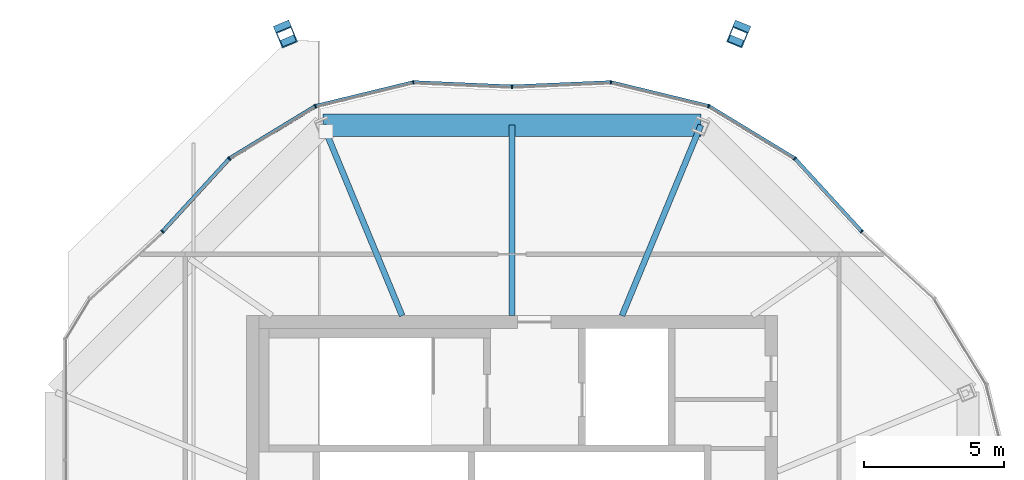
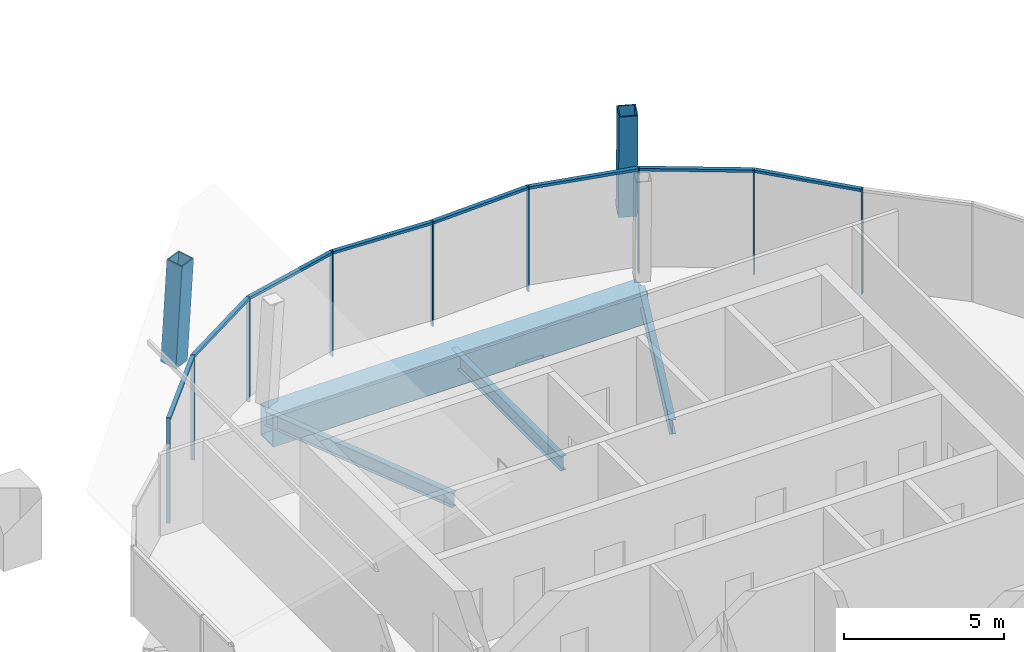
# One storey, part 9 of 23: 19 members, 4 beams, 3 elements without a shape of their own.
"""IFC4 building model written with IfcOpenShell, lengths in metres."""

from ifc_helpers import new_model, si_unit, direction, frame, origin, origin_2d, place, context, subcontext, project, spatial, rectangle, hollow_rectangle, i_section, extrude, material, material_profile, profile_set, type_object, element, aggregate, save


model = new_model("IFC4")

# Units and contexts
model_context = context("Model", 3, precision=1e-05, world=origin(), true_north=direction((0.0, 1.0)))
body_context = subcontext(model_context, "Body", "Model", "MODEL_VIEW")
ifc_project = project(units=[si_unit("LENGTHUNIT", "METRE"), si_unit("AREAUNIT", "SQUARE_METRE"), si_unit("VOLUMEUNIT", "CUBIC_METRE"), si_unit("PLANEANGLEUNIT", "RADIAN"), si_unit("MASSUNIT", "GRAM", prefix="KILO")], contexts=[model_context])

# Site, building, storey
site_placement = place(None, origin())
site = spatial("IfcSite", under=ifc_project, at=site_placement, CompositionType="ELEMENT")
building_placement = place(site_placement, origin())
building = spatial("IfcBuilding", under=site, at=building_placement, Name="Ogive Gate Towers", CompositionType="ELEMENT")
storey_placement = place(building_placement, frame((0.0, 0.0, 302.0)))
storey = spatial("IfcBuildingStorey", under=building, at=storey_placement, Name="L71", CompositionType="ELEMENT", Elevation=302.0)

# Curtain wall, member
ifc_material_1 = material(Name="Pale metal aluminium", Category="aluminium")
curtain_wall_type = type_object("IfcCurtainWallType", Name="Crown lean wall", PredefinedType="NOTDEFINED", material=ifc_material_1)
curtain_wall_1_placement = place(storey_placement, origin())
curtain_wall_1 = element("IfcCurtainWall", 1, at=curtain_wall_1_placement, inside=storey, type_object=curtain_wall_type, Name="CW5 T1 ECW01", PredefinedType="NOTDEFINED")
ifc_material_profile_1 = material_profile(ifc_material_1, rectangle(XDim=0.139892578125, YDim=0.050048828125, at=origin_2d()), Name="50 x 140 aluminium box")
ifc_profile_set_1 = profile_set([ifc_material_profile_1], Name="Pale metal aluminium")
member_type_1 = type_object("IfcMemberType", Name="Crown lean wall mullion 50 x 140", PredefinedType="MULLION", material=ifc_profile_set_1)
member_1_placement = place(storey_placement, frame((-23.488525390625, 12.51318359375, -0.300048828125), z_axis=(0.0, 0.0, 1.0), x_axis=(-0.675796067943, -0.737088647689, 0.0)))
member_1 = element("IfcMember", 2, at=member_1_placement, type_object=member_type_1, Name="CW5 mullion", PredefinedType="MULLION", context=body_context, shape_type="SweptSolid", body=[
    extrude(rectangle(XDim=0.139892578125, YDim=0.050048828125, at=origin_2d()), origin(), (0.0, 0.0, 1.0), 4.0),
])
aggregate(curtain_wall_1, [member_1])

# Curtain wall, members
curtain_wall_2_placement = place(storey_placement, origin())
curtain_wall_2 = element("IfcCurtainWall", 3, at=curtain_wall_2_placement, inside=storey, type_object=curtain_wall_type, Name="CW5 T1 ECW02", PredefinedType="NOTDEFINED")
member_2_placement = place(storey_placement, frame((-36.001220703125, 17.695068359375, -0.300048828125), z_axis=(0.0, 0.0, 1.0), x_axis=(0.043340398775, -0.999060363459, 0.0)))
member_2 = element("IfcMember", 4, at=member_2_placement, type_object=member_type_1, Name="CW5 mullion", PredefinedType="MULLION", context=body_context, shape_type="SweptSolid", body=[
    extrude(rectangle(XDim=0.139892578125, YDim=0.050048828125, at=origin_2d()), origin(), (0.0, 0.0, 1.0), 4.0),
])
member_3_placement = place(storey_placement, frame((-32.462890625, 17.848388671875, -0.300048828125), z_axis=(0.0, 0.0, 1.0), x_axis=(-0.097513419542, -0.995234210128, 0.0)))
member_3 = element("IfcMember", 5, at=member_3_placement, type_object=member_type_1, Name="CW5 mullion", PredefinedType="MULLION", context=body_context, shape_type="SweptSolid", body=[
    extrude(rectangle(XDim=0.139892578125, YDim=0.050048828125, at=origin_2d()), origin(), (0.0, 0.0, 1.0), 4.0),
])
member_4_placement = place(storey_placement, frame((-28.960205078125, 16.995849609375, -0.300048828125), z_axis=(0.0, 0.0, 1.0), x_axis=(-0.382683432365, -0.923879532511, 0.0)))
member_4 = element("IfcMember", 6, at=member_4_placement, type_object=member_type_1, Name="CW5 mullion", PredefinedType="MULLION", context=body_context, shape_type="SweptSolid", body=[
    extrude(rectangle(XDim=0.139892578125, YDim=0.050048828125, at=origin_2d()), origin(), (0.0, 0.0, 1.0), 4.0),
])
member_5_placement = place(storey_placement, frame((-25.880615234375, 15.12158203125, -0.300048828125), z_axis=(0.0, 0.0, 1.0), x_axis=(-0.634784458636, -0.772689259065, 0.0)))
member_5 = element("IfcMember", 7, at=member_5_placement, type_object=member_type_1, Name="CW5 mullion", PredefinedType="MULLION", context=body_context, shape_type="SweptSolid", body=[
    extrude(rectangle(XDim=0.139892578125, YDim=0.050048828125, at=origin_2d()), origin(), (0.0, 0.0, 1.0), 4.0),
])

curtain_wall_3_placement = place(storey_placement, origin())
curtain_wall_3 = element("IfcCurtainWall", 8, at=curtain_wall_3_placement, inside=storey, type_object=curtain_wall_type, Name="CW5 T1 ECW03", PredefinedType="NOTDEFINED")
member_6_placement = place(storey_placement, frame((-48.51318359375, 12.511474609375, -0.300048828125), z_axis=(0.0, 0.0, 1.0), x_axis=(0.737088647689, -0.675796067943, 0.0)))
member_6 = element("IfcMember", 9, at=member_6_placement, type_object=member_type_1, Name="CW5 mullion", PredefinedType="MULLION", context=body_context, shape_type="SweptSolid", body=[
    extrude(rectangle(XDim=0.139892578125, YDim=0.050048828125, at=origin_2d()), origin(), (0.0, 0.0, 1.0), 4.0),
])
member_7_placement = place(storey_placement, frame((-46.119384765625, 15.12158203125, -0.300048828125), z_axis=(0.0, 0.0, 1.0), x_axis=(0.634784458636, -0.772689259065, 0.0)))
member_7 = element("IfcMember", 10, at=member_7_placement, type_object=member_type_1, Name="CW5 mullion", PredefinedType="MULLION", context=body_context, shape_type="SweptSolid", body=[
    extrude(rectangle(XDim=0.139892578125, YDim=0.050048828125, at=origin_2d()), origin(), (0.0, 0.0, 1.0), 4.0),
])
member_8_placement = place(storey_placement, frame((-43.039794921875, 16.995849609375, -0.300048828125), z_axis=(0.0, 0.0, 1.0), x_axis=(0.382683432365, -0.923879532511, 0.0)))
member_8 = element("IfcMember", 11, at=member_8_placement, type_object=member_type_1, Name="CW5 mullion", PredefinedType="MULLION", context=body_context, shape_type="SweptSolid", body=[
    extrude(rectangle(XDim=0.139892578125, YDim=0.050048828125, at=origin_2d()), origin(), (0.0, 0.0, 1.0), 4.0),
])
member_9_placement = place(storey_placement, frame((-39.537109375, 17.848388671875, -0.300048828125), z_axis=(0.0, 0.0, 1.0), x_axis=(0.097513419542, -0.995234210128, 0.0)))
member_9 = element("IfcMember", 12, at=member_9_placement, type_object=member_type_1, Name="CW5 mullion", PredefinedType="MULLION", context=body_context, shape_type="SweptSolid", body=[
    extrude(rectangle(XDim=0.139892578125, YDim=0.050048828125, at=origin_2d()), origin(), (0.0, 0.0, 1.0), 4.0),
])

# Member
ifc_material_profile_2 = material_profile(ifc_material_1, rectangle(XDim=0.139892578125, YDim=0.10009765625, at=origin_2d()), Name="100 x 140 aluminium box")
ifc_profile_set_2 = profile_set([ifc_material_profile_2], Name="Pale metal aluminium")
member_type_2 = type_object("IfcMemberType", Name="Crown lean wall transom 100 x 140", PredefinedType="USERDEFINED", material=ifc_profile_set_2)
member_10_placement = place(storey_placement, frame((-35.976318359375, 17.6962890625, 3.64990234375), z_axis=(0.999060643989, 0.043333931654, 0.0), x_axis=(-0.043333931654, 0.999060643989, 0.0)))
member_10 = element("IfcMember", 13, at=member_10_placement, type_object=member_type_2, Name="CW5 transom", ObjectType="TRANSOM", PredefinedType="USERDEFINED", context=body_context, shape_type="SweptSolid", body=[
    extrude(rectangle(XDim=0.139892578125, YDim=0.10009765625, at=origin_2d()), origin(), (0.0, 0.0, 1.0), 3.4873046875),
])

member_11_placement = place(storey_placement, frame((-32.434326171875, 17.841552734375, 3.64990234375), z_axis=(0.971665893782, -0.236358606487, 0.0), x_axis=(0.236358606487, 0.971665893782, 0.0)))
member_11 = element("IfcMember", 14, at=member_11_placement, type_object=member_type_2, Name="CW5 transom", ObjectType="TRANSOM", PredefinedType="USERDEFINED", context=body_context, shape_type="SweptSolid", body=[
    extrude(rectangle(XDim=0.139892578125, YDim=0.10009765625, at=origin_2d()), origin(), (0.0, 0.0, 1.0), 3.546142578125),
])

member_12_placement = place(storey_placement, frame((-28.9345703125, 16.980712890625, 3.64990234375), z_axis=(0.854250400088, -0.51986176427, 0.0), x_axis=(0.51986176427, 0.854250400088, 0.0)))
member_12 = element("IfcMember", 15, at=member_12_placement, type_object=member_type_2, Name="CW5 transom", ObjectType="TRANSOM", PredefinedType="USERDEFINED", context=body_context, shape_type="SweptSolid", body=[
    extrude(rectangle(XDim=0.139892578125, YDim=0.10009765625, at=origin_2d()), origin(), (0.0, 0.0, 1.0), 3.546142578125),
])

member_13_placement = place(storey_placement, frame((-25.860595703125, 15.100341796875, 3.64990234375), z_axis=(0.675816552763, -0.73706986576, 0.0), x_axis=(0.73706986576, 0.675816552763, 0.0)))
member_13 = element("IfcMember", 16, at=member_13_placement, type_object=member_type_2, Name="CW5 transom", ObjectType="TRANSOM", PredefinedType="USERDEFINED", context=body_context, shape_type="SweptSolid", body=[
    extrude(rectangle(XDim=0.139892578125, YDim=0.10009765625, at=origin_2d()), origin(), (0.0, 0.0, 1.0), 3.487548828125),
])

aggregate(curtain_wall_2, [member_2, member_3, member_10, member_4, member_11, member_5, member_12, member_13])

member_14_placement = place(storey_placement, frame((-48.496337890625, 12.52978515625, 3.64990234375), z_axis=(0.675816552763, 0.73706986576, 0.0), x_axis=(-0.73706986576, 0.675816552763, 0.0)))
member_14 = element("IfcMember", 17, at=member_14_placement, type_object=member_type_2, Name="CW5 transom", ObjectType="TRANSOM", PredefinedType="USERDEFINED", context=body_context, shape_type="SweptSolid", body=[
    extrude(rectangle(XDim=0.139892578125, YDim=0.10009765625, at=origin_2d()), origin(), (0.0, 0.0, 1.0), 3.487548828125),
])

member_15_placement = place(storey_placement, frame((-46.0947265625, 15.13720703125, 3.64990234375), z_axis=(0.854250400088, 0.51986176427, 0.0), x_axis=(-0.51986176427, 0.854250400088, 0.0)))
member_15 = element("IfcMember", 18, at=member_15_placement, type_object=member_type_2, Name="CW5 transom", ObjectType="TRANSOM", PredefinedType="USERDEFINED", context=body_context, shape_type="SweptSolid", body=[
    extrude(rectangle(XDim=0.139892578125, YDim=0.10009765625, at=origin_2d()), origin(), (0.0, 0.0, 1.0), 3.546142578125),
])

member_16_placement = place(storey_placement, frame((-43.01123046875, 17.00341796875, 3.64990234375), z_axis=(0.971665893782, 0.236358606487, 0.0), x_axis=(-0.236358606487, 0.971665893782, 0.0)))
member_16 = element("IfcMember", 19, at=member_16_placement, type_object=member_type_2, Name="CW5 transom", ObjectType="TRANSOM", PredefinedType="USERDEFINED", context=body_context, shape_type="SweptSolid", body=[
    extrude(rectangle(XDim=0.139892578125, YDim=0.10009765625, at=origin_2d()), origin(), (0.0, 0.0, 1.0), 3.546142578125),
])

member_17_placement = place(storey_placement, frame((-39.5078125, 17.847412109375, 3.64990234375), z_axis=(0.999060643989, -0.043333931654, 0.0), x_axis=(0.043333931654, 0.999060643989, 0.0)))
member_17 = element("IfcMember", 20, at=member_17_placement, type_object=member_type_2, Name="CW5 transom", ObjectType="TRANSOM", PredefinedType="USERDEFINED", context=body_context, shape_type="SweptSolid", body=[
    extrude(rectangle(XDim=0.139892578125, YDim=0.10009765625, at=origin_2d()), origin(), (0.0, 0.0, 1.0), 3.4873046875),
])

aggregate(curtain_wall_3, [member_6, member_7, member_14, member_8, member_15, member_9, member_16, member_17])

# Members
ifc_material_2 = material(Name="Steel SM460", Category="steel")
ifc_material_profile_3 = material_profile(ifc_material_2, hollow_rectangle(XDim=0.60009765625, YDim=0.60009765625, WallThickness=0.0400390625, at=origin_2d()), Name="BX 600x600x40")
ifc_profile_set_3 = profile_set([ifc_material_profile_3], Name="Steel SM460")
member_type_3 = type_object("IfcMemberType", Name="Crown rib BX 600x600x40", PredefinedType="MEMBER", material=ifc_profile_set_3)
for number, where, z_axis, x_axis, name in (
    (21, (-27.8427734375, 19.693115234375, 0.0), (-0.02339375174, -0.056413057581, 0.998133407573), (0.923724896159, -0.383056544411, 0.0), "T1/L71/STR002"),
    (22, (-44.1572265625, 19.693115234375, 0.0), (0.02339375174, -0.056413057581, 0.998133407573), (0.923724896159, 0.383056544411, 0.0), "T1/L71/STR003"),
):
    element("IfcMember", number, at=place(storey_placement, frame(where, z_axis=z_axis, x_axis=x_axis)), inside=storey, type_object=member_type_3, Name=name, PredefinedType="MEMBER", context=body_context, shape_type="SweptSolid", body=[
        extrude(hollow_rectangle(XDim=0.60009765625, YDim=0.60009765625, WallThickness=0.0400390625, at=origin_2d()), origin(), (0.0, 0.0, 1.0), 4.007568359375),
    ])

# Beams
ifc_material_profile_4 = material_profile(ifc_material_2, hollow_rectangle(XDim=0.800048828125, YDim=1.199951171875, WallThickness=0.050048828125, at=origin_2d()), Name="BX 1200x800x50")
ifc_profile_set_4 = profile_set([ifc_material_profile_4], Name="Steel SM460")
beam_type_1 = type_object("IfcBeamType", Name="Edge girder BX 1200x800x50", PredefinedType="BEAM", material=ifc_profile_set_4)
beam_1_placement = place(storey_placement, frame((-29.239990234375, 16.3203125, -0.89990234375), z_axis=(-1.0, 0.0, 0.0), x_axis=(0.0, -1.0, 0.0)))
element("IfcBeam", 23, at=beam_1_placement, inside=storey, type_object=beam_type_1, Name="T1/L71/SBM022", PredefinedType="BEAM", context=body_context, shape_type="SweptSolid", body=[
    extrude(hollow_rectangle(XDim=0.800048828125, YDim=1.199951171875, WallThickness=0.050048828125, at=origin_2d()), origin(), (0.0, 0.0, 1.0), 13.52001953125),
])
ifc_material_3 = material(Name="Steel SM355", Category="steel")
ifc_material_profile_5 = material_profile(ifc_material_3, i_section(OverallWidth=0.2099609375, OverallDepth=0.550048828125, WebThickness=0.010986328125, FlangeThickness=0.01708984375, FilletRadius=0.02392578125, at=origin_2d()), Name="IPE 550")
ifc_profile_set_5 = profile_set([ifc_material_profile_5], Name="Steel SM355")
beam_type_2 = type_object("IfcBeamType", Name="Radial floor beam IPE 550", PredefinedType="BEAM", material=ifc_profile_set_5)
beam_2_placement = place(storey_placement, frame((-32.06494140625, 9.5, -0.574951171875), z_axis=(0.38267016282, 0.923885028825, 0.0), x_axis=(-0.923885028825, 0.38267016282, 0.0)))
element("IfcBeam", 24, at=beam_2_placement, inside=storey, type_object=beam_type_2, Name="T1/L71/SBM011", PredefinedType="BEAM", context=body_context, shape_type="SweptSolid", body=[
    extrude(i_section(OverallWidth=0.2099609375, OverallDepth=0.550048828125, WebThickness=0.010986328125, FlangeThickness=0.01708984375, FilletRadius=0.02392578125, at=origin_2d()), origin(), (0.0, 0.0, 1.0), 7.38232421875),
])
beam_3_placement = place(storey_placement, frame((-36.0, 9.5, -0.574951171875), z_axis=(0.0, 1.0, 0.0), x_axis=(-1.0, 0.0, 0.0)))
element("IfcBeam", 25, at=beam_3_placement, inside=storey, type_object=beam_type_2, Name="T1/L71/SBM012", PredefinedType="BEAM", context=body_context, shape_type="SweptSolid", body=[
    extrude(i_section(OverallWidth=0.2099609375, OverallDepth=0.550048828125, WebThickness=0.010986328125, FlangeThickness=0.01708984375, FilletRadius=0.02392578125, at=origin_2d()), origin(), (0.0, 0.0, 1.0), 6.8203125),
])
beam_4_placement = place(storey_placement, frame((-39.93505859375, 9.5, -0.574951171875), z_axis=(-0.38267016282, 0.923885028825, 0.0), x_axis=(-0.923885028825, -0.38267016282, 0.0)))
element("IfcBeam", 26, at=beam_4_placement, inside=storey, type_object=beam_type_2, Name="T1/L71/SBM013", PredefinedType="BEAM", context=body_context, shape_type="SweptSolid", body=[
    extrude(i_section(OverallWidth=0.2099609375, OverallDepth=0.550048828125, WebThickness=0.010986328125, FlangeThickness=0.01708984375, FilletRadius=0.02392578125, at=origin_2d()), origin(), (0.0, 0.0, 1.0), 7.38232421875),
])

save(model, "model.ifc")
